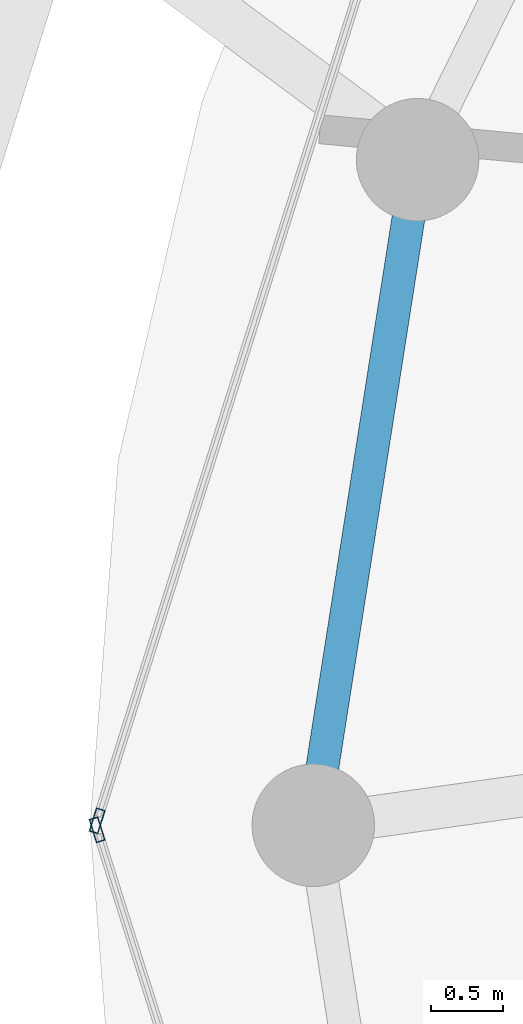
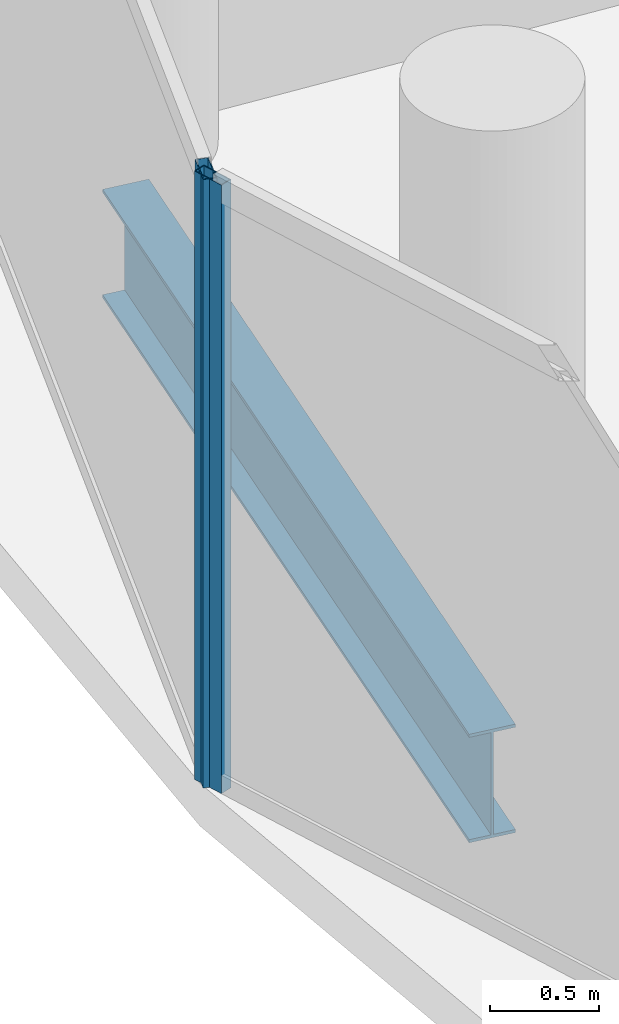
# One storey, part 7 of 27: 2 members, 1 beam, 2 elements without a shape of their own.
"""IFC4 building model written with IfcOpenShell, lengths in metres."""

from ifc_helpers import new_model, si_unit, direction, frame, origin, origin_2d, place, context, subcontext, project, spatial, hollow_rectangle, i_section, extrude, material, layer, layer_set, material_profile, profile_set, type_object, element, aggregate, save


model = new_model("IFC4")

# Units and contexts
model_context = context("Model", 3, precision=1e-05, world=origin(), true_north=direction((0.0, 1.0)))
body_context = subcontext(model_context, "Body", "Model", "MODEL_VIEW")
ifc_project = project(units=[si_unit("LENGTHUNIT", "METRE"), si_unit("AREAUNIT", "SQUARE_METRE"), si_unit("VOLUMEUNIT", "CUBIC_METRE"), si_unit("PLANEANGLEUNIT", "RADIAN"), si_unit("MASSUNIT", "GRAM", prefix="KILO")], contexts=[model_context])

# Site, building, storey
site_placement = place(None, origin())
site = spatial("IfcSite", under=ifc_project, at=site_placement, CompositionType="ELEMENT")
building_placement = place(site_placement, origin())
building = spatial("IfcBuilding", under=site, at=building_placement, Name="Nuhasar Tower", CompositionType="ELEMENT")
storey_placement = place(building_placement, frame((0.0, 0.0, 241.0)))
storey = spatial("IfcBuildingStorey", under=building, at=storey_placement, Name="L59", CompositionType="ELEMENT", Elevation=241.0)

# Beam
ifc_material_1 = material(Name="Steel S355", Category="steel")
ifc_material_profile_1 = material_profile(ifc_material_1, i_section(OverallWidth=0.22802734375, OverallDepth=0.60791015625, WebThickness=0.01123046875, FlangeThickness=0.017333984375, at=origin_2d()), Name="W24X76")
ifc_profile_set_1 = profile_set([ifc_material_profile_1], Name="Steel S355")
beam_type = type_object("IfcBeamType", Name="BM-RING-W24X76", PredefinedType="SPANDREL", material=ifc_profile_set_1)
beam_placement = place(storey_placement, frame((18.47412109375, 31.419921875, -0.5439453125), z_axis=(-0.154849872935, -0.987938012657, 0.0), x_axis=(0.987938012657, -0.154849872935, 0.0)))
element("IfcBeam", 1, at=beam_placement, inside=storey, type_object=beam_type, Name="L59 Perimeter Ring Spandrel 12", PredefinedType="SPANDREL", context=body_context, shape_type="SweptSolid", body=[
    extrude(i_section(OverallWidth=0.22802734375, OverallDepth=0.60791015625, WebThickness=0.01123046875, FlangeThickness=0.017333984375, at=origin_2d()), origin(), (0.0, 0.0, 1.0), 4.67626953125),
])

# Curtain wall, member
ifc_material_2 = material(Name="Aluminium 6063-T6", Category="aluminium")
ifc_layer = layer(ifc_material_2, 0.18994140625)
ifc_layer_set = layer_set([ifc_layer], Name="Aluminium 6063-T6")
curtain_wall_type = type_object("IfcCurtainWallType", Name="CW-Z3-RES", PredefinedType="NOTDEFINED", material=ifc_layer_set)
curtain_wall_1_placement = place(storey_placement, origin())
curtain_wall_1 = element("IfcCurtainWall", 2, at=curtain_wall_1_placement, inside=storey, type_object=curtain_wall_type, Name="L59 Unitised Curtain Wall 06", PredefinedType="NOTDEFINED")
ifc_material_profile_2 = material_profile(ifc_material_2, hollow_rectangle(XDim=0.06494140625, YDim=0.169921875, WallThickness=0.0048828125, at=origin_2d()), Name="CWM-4")
ifc_profile_set_2 = profile_set([ifc_material_profile_2], Name="Aluminium 6063-T6")
member_type = type_object("IfcMemberType", Name="CW-MUL-S4", PredefinedType="MULLION", material=ifc_profile_set_2)
member_1_placement = place(storey_placement, frame((16.249755859375, 26.8310546875, 0.0), z_axis=(0.0, 0.0, 1.0), x_axis=(0.95380429279, -0.30042864553, 0.0)))
member_1 = element("IfcMember", 3, at=member_1_placement, type_object=member_type, Name="CW-Z3 mullion 2", PredefinedType="MULLION", context=body_context, shape_type="SweptSolid", body=[
    extrude(hollow_rectangle(XDim=0.06494140625, YDim=0.169921875, WallThickness=0.0048828125, at=origin_2d()), origin(), (0.0, 0.0, 1.0), 3.409912109375),
])
aggregate(curtain_wall_1, [member_1])

curtain_wall_2_placement = place(storey_placement, origin())
curtain_wall_2 = element("IfcCurtainWall", 4, at=curtain_wall_2_placement, inside=storey, type_object=curtain_wall_type, Name="L59 Unitised Curtain Wall 07", PredefinedType="NOTDEFINED")
member_2_placement = place(storey_placement, frame((16.249755859375, 26.76904296875, 0.0), z_axis=(0.0, 0.0, 1.0), x_axis=(0.95380429279, 0.30042864553, 0.0)))
member_2 = element("IfcMember", 5, at=member_2_placement, type_object=member_type, Name="CW-Z3 mullion 1", PredefinedType="MULLION", context=body_context, shape_type="SweptSolid", body=[
    extrude(hollow_rectangle(XDim=0.06494140625, YDim=0.169921875, WallThickness=0.0048828125, at=origin_2d()), origin(), (0.0, 0.0, 1.0), 3.409912109375),
])
aggregate(curtain_wall_2, [member_2])

save(model, "model.ifc")
